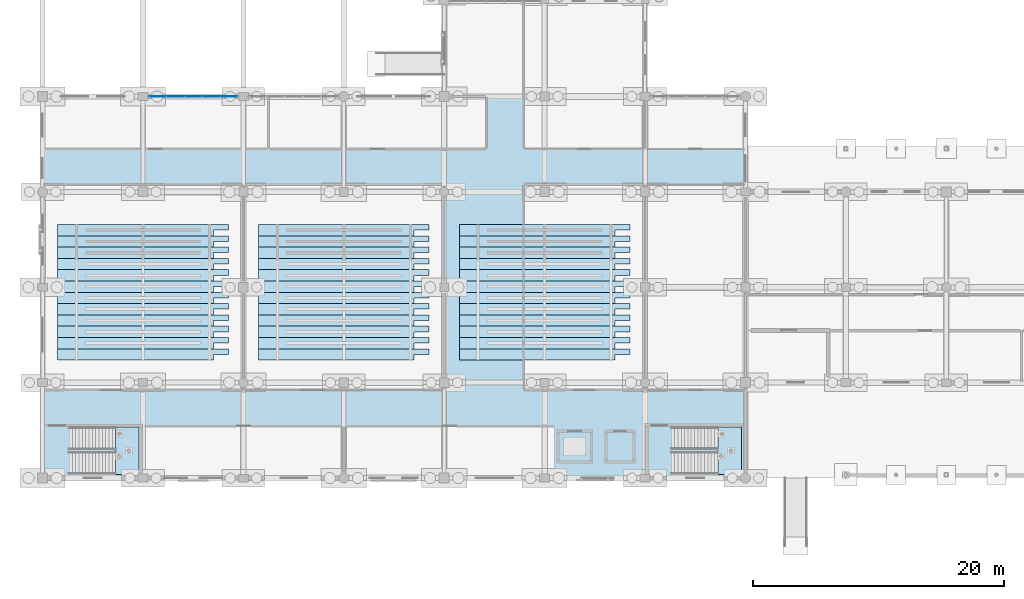
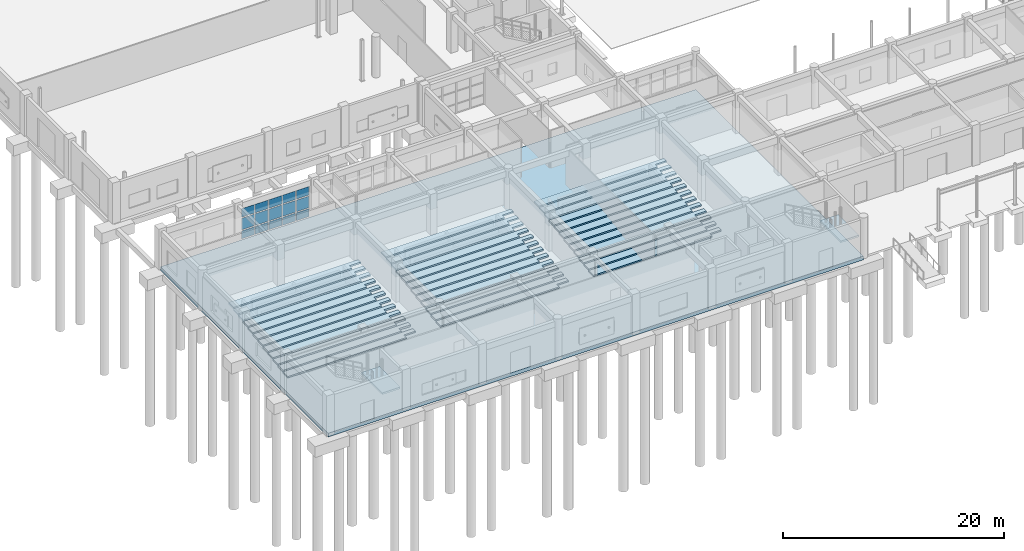
# One storey, part 108 of 166: 39 slabs, 15 plates, 3 elements without a shape of their own.
"""IFC4 building model written with IfcOpenShell, lengths in metres."""

from ifc_helpers import new_model, si_unit, direction, frame, origin, origin_2d, place, context, subcontext, project, spatial, polyline, rectangle, outline, extrude, material, layer, layer_set, type_object, element, aggregate, save


model = new_model("IFC4")

# Units and contexts
model_context = context("Model", 3, precision=1e-05, world=origin(), true_north=direction((0.0, 1.0)))
body_context = subcontext(model_context, "Body", "Model", "MODEL_VIEW")
ifc_project = project(units=[si_unit("LENGTHUNIT", "METRE"), si_unit("AREAUNIT", "SQUARE_METRE"), si_unit("VOLUMEUNIT", "CUBIC_METRE"), si_unit("PLANEANGLEUNIT", "RADIAN"), si_unit("MASSUNIT", "GRAM", prefix="KILO")], contexts=[model_context])

# Site, building, storey
site_placement = place(None, origin())
site = spatial("IfcSite", under=ifc_project, at=site_placement, CompositionType="ELEMENT")
building_placement = place(site_placement, origin())
building = spatial("IfcBuilding", under=site, at=building_placement, Name="Kharva Crest Polytechnic", CompositionType="ELEMENT")
storey_placement = place(building_placement, origin())
storey = spatial("IfcBuildingStorey", under=building, at=storey_placement, Name="L00", CompositionType="ELEMENT", Elevation=0.0)

# Curtain wall, plates
ifc_material_1 = material(Name="Tempered insulated glass", Category="glass")
curtain_wall_type = type_object("IfcCurtainWallType", Name="CW-SYS-COURT", PredefinedType="USERDEFINED", material=ifc_material_1)
curtain_wall_placement = place(storey_placement, origin())
curtain_wall = element("IfcCurtainWall", 1, at=curtain_wall_placement, inside=storey, type_object=curtain_wall_type, Name="L00 Glazed Curtain Wall CW-004", ObjectType="CURTAIN WALL", PredefinedType="USERDEFINED")
ifc_layer_1 = layer(ifc_material_1, 0.02392578125, Name="Tempered insulated glass")
ifc_layer_set_1 = layer_set([ifc_layer_1], Name="Tempered insulated glass")
plate_type = type_object("IfcPlateType", Name="CWP-GLZ-24", PredefinedType="CURTAIN_PANEL", material=ifc_layer_set_1)
plate_1_placement = place(storey_placement, frame((14.864990234375, 30.39990234375, 0.119873046875), z_axis=(0.0, 0.0, 1.0), x_axis=(-1.0, 0.0, 0.0)))
plate_1 = element("IfcPlate", 2, at=plate_1_placement, type_object=plate_type, Name="CW-004 panel 1.1", PredefinedType="CURTAIN_PANEL", context=body_context, shape_type="SweptSolid", body=[
    extrude(rectangle(XDim=1.320068359375, YDim=0.02392578125, at=origin_2d()), origin(), (0.0, 0.0, 1.0), 0.8701171875),
])
plate_2_placement = place(storey_placement, frame((14.864990234375, 30.39990234375, 1.10986328125), z_axis=(0.0, 0.0, 1.0), x_axis=(-1.0, 0.0, 0.0)))
plate_2 = element("IfcPlate", 3, at=plate_2_placement, type_object=plate_type, Name="CW-004 panel 1.2", PredefinedType="CURTAIN_PANEL", context=body_context, shape_type="SweptSolid", body=[
    extrude(rectangle(XDim=1.320068359375, YDim=0.02392578125, at=origin_2d()), origin(), (0.0, 0.0, 1.0), 1.280029296875),
])
plate_3_placement = place(storey_placement, frame((14.864990234375, 30.39990234375, 2.510009765625), z_axis=(0.0, 0.0, 1.0), x_axis=(-1.0, 0.0, 0.0)))
plate_3 = element("IfcPlate", 4, at=plate_3_placement, type_object=plate_type, Name="CW-004 panel 1.3", PredefinedType="CURTAIN_PANEL", context=body_context, shape_type="SweptSolid", body=[
    extrude(rectangle(XDim=1.320068359375, YDim=0.02392578125, at=origin_2d()), origin(), (0.0, 0.0, 1.0), 0.93994140625),
])
plate_4_placement = place(storey_placement, frame((13.445068359375, 30.39990234375, 0.119873046875), z_axis=(0.0, 0.0, 1.0), x_axis=(-1.0, 0.0, 0.0)))
plate_4 = element("IfcPlate", 5, at=plate_4_placement, type_object=plate_type, Name="CW-004 panel 2.1", PredefinedType="CURTAIN_PANEL", context=body_context, shape_type="SweptSolid", body=[
    extrude(rectangle(XDim=1.360107421875, YDim=0.02392578125, at=origin_2d()), origin(), (0.0, 0.0, 1.0), 0.8701171875),
])
plate_5_placement = place(storey_placement, frame((13.445068359375, 30.39990234375, 1.10986328125), z_axis=(0.0, 0.0, 1.0), x_axis=(-1.0, 0.0, 0.0)))
plate_5 = element("IfcPlate", 6, at=plate_5_placement, type_object=plate_type, Name="CW-004 panel 2.2", PredefinedType="CURTAIN_PANEL", context=body_context, shape_type="SweptSolid", body=[
    extrude(rectangle(XDim=1.360107421875, YDim=0.02392578125, at=origin_2d()), origin(), (0.0, 0.0, 1.0), 1.280029296875),
])
plate_6_placement = place(storey_placement, frame((13.445068359375, 30.39990234375, 2.510009765625), z_axis=(0.0, 0.0, 1.0), x_axis=(-1.0, 0.0, 0.0)))
plate_6 = element("IfcPlate", 7, at=plate_6_placement, type_object=plate_type, Name="CW-004 panel 2.3", PredefinedType="CURTAIN_PANEL", context=body_context, shape_type="SweptSolid", body=[
    extrude(rectangle(XDim=1.360107421875, YDim=0.02392578125, at=origin_2d()), origin(), (0.0, 0.0, 1.0), 0.93994140625),
])
plate_7_placement = place(storey_placement, frame((12.0048828125, 30.39990234375, 0.119873046875), z_axis=(0.0, 0.0, 1.0), x_axis=(-1.0, 0.0, 0.0)))
plate_7 = element("IfcPlate", 8, at=plate_7_placement, type_object=plate_type, Name="CW-004 panel 3.1", PredefinedType="CURTAIN_PANEL", context=body_context, shape_type="SweptSolid", body=[
    extrude(rectangle(XDim=1.360107421875, YDim=0.02392578125, at=origin_2d()), origin(), (0.0, 0.0, 1.0), 0.8701171875),
])
plate_8_placement = place(storey_placement, frame((12.0048828125, 30.39990234375, 1.10986328125), z_axis=(0.0, 0.0, 1.0), x_axis=(-1.0, 0.0, 0.0)))
plate_8 = element("IfcPlate", 9, at=plate_8_placement, type_object=plate_type, Name="CW-004 panel 3.2", PredefinedType="CURTAIN_PANEL", context=body_context, shape_type="SweptSolid", body=[
    extrude(rectangle(XDim=1.360107421875, YDim=0.02392578125, at=origin_2d()), origin(), (0.0, 0.0, 1.0), 1.280029296875),
])
plate_9_placement = place(storey_placement, frame((12.0048828125, 30.39990234375, 2.510009765625), z_axis=(0.0, 0.0, 1.0), x_axis=(-1.0, 0.0, 0.0)))
plate_9 = element("IfcPlate", 10, at=plate_9_placement, type_object=plate_type, Name="CW-004 panel 3.3", PredefinedType="CURTAIN_PANEL", context=body_context, shape_type="SweptSolid", body=[
    extrude(rectangle(XDim=1.360107421875, YDim=0.02392578125, at=origin_2d()), origin(), (0.0, 0.0, 1.0), 0.93994140625),
])
plate_10_placement = place(storey_placement, frame((10.56494140625, 30.39990234375, 0.119873046875), z_axis=(0.0, 0.0, 1.0), x_axis=(-1.0, 0.0, 0.0)))
plate_10 = element("IfcPlate", 11, at=plate_10_placement, type_object=plate_type, Name="CW-004 panel 4.1", PredefinedType="CURTAIN_PANEL", context=body_context, shape_type="SweptSolid", body=[
    extrude(rectangle(XDim=1.360107421875, YDim=0.02392578125, at=origin_2d()), origin(), (0.0, 0.0, 1.0), 0.8701171875),
])
plate_11_placement = place(storey_placement, frame((10.56494140625, 30.39990234375, 1.10986328125), z_axis=(0.0, 0.0, 1.0), x_axis=(-1.0, 0.0, 0.0)))
plate_11 = element("IfcPlate", 12, at=plate_11_placement, type_object=plate_type, Name="CW-004 panel 4.2", PredefinedType="CURTAIN_PANEL", context=body_context, shape_type="SweptSolid", body=[
    extrude(rectangle(XDim=1.360107421875, YDim=0.02392578125, at=origin_2d()), origin(), (0.0, 0.0, 1.0), 1.280029296875),
])
plate_12_placement = place(storey_placement, frame((10.56494140625, 30.39990234375, 2.510009765625), z_axis=(0.0, 0.0, 1.0), x_axis=(-1.0, 0.0, 0.0)))
plate_12 = element("IfcPlate", 13, at=plate_12_placement, type_object=plate_type, Name="CW-004 panel 4.3", PredefinedType="CURTAIN_PANEL", context=body_context, shape_type="SweptSolid", body=[
    extrude(rectangle(XDim=1.360107421875, YDim=0.02392578125, at=origin_2d()), origin(), (0.0, 0.0, 1.0), 0.93994140625),
])
plate_13_placement = place(storey_placement, frame((9.14501953125, 30.39990234375, 0.119873046875), z_axis=(0.0, 0.0, 1.0), x_axis=(-1.0, 0.0, 0.0)))
plate_13 = element("IfcPlate", 14, at=plate_13_placement, type_object=plate_type, Name="CW-004 panel 5.1", PredefinedType="CURTAIN_PANEL", context=body_context, shape_type="SweptSolid", body=[
    extrude(rectangle(XDim=1.320068359375, YDim=0.02392578125, at=origin_2d()), origin(), (0.0, 0.0, 1.0), 0.8701171875),
])
plate_14_placement = place(storey_placement, frame((9.14501953125, 30.39990234375, 1.10986328125), z_axis=(0.0, 0.0, 1.0), x_axis=(-1.0, 0.0, 0.0)))
plate_14 = element("IfcPlate", 15, at=plate_14_placement, type_object=plate_type, Name="CW-004 panel 5.2", PredefinedType="CURTAIN_PANEL", context=body_context, shape_type="SweptSolid", body=[
    extrude(rectangle(XDim=1.320068359375, YDim=0.02392578125, at=origin_2d()), origin(), (0.0, 0.0, 1.0), 1.280029296875),
])
plate_15_placement = place(storey_placement, frame((9.14501953125, 30.39990234375, 2.510009765625), z_axis=(0.0, 0.0, 1.0), x_axis=(-1.0, 0.0, 0.0)))
plate_15 = element("IfcPlate", 16, at=plate_15_placement, type_object=plate_type, Name="CW-004 panel 5.3", PredefinedType="CURTAIN_PANEL", context=body_context, shape_type="SweptSolid", body=[
    extrude(rectangle(XDim=1.320068359375, YDim=0.02392578125, at=origin_2d()), origin(), (0.0, 0.0, 1.0), 0.93994140625),
])
aggregate(curtain_wall, [plate_1, plate_2, plate_3, plate_4, plate_5, plate_6, plate_7, plate_8, plate_9, plate_10, plate_11, plate_12, plate_13, plate_14, plate_15])

# Slab
ifc_material_2 = material(Name="Concrete C35/45", Category="concrete")
ifc_layer_2 = layer(ifc_material_2, 0.405029296875, Name="Concrete C35/45")
ifc_layer_set_2 = layer_set([ifc_layer_2], Name="Concrete C35/45")
slab_type_1 = type_object("IfcSlabType", Name="SLB-BASE-400", PredefinedType="BASESLAB", material=ifc_layer_set_2)
slab_1_placement = place(storey_placement, frame((0.0, 0.0, -0.405029296875)))
element("IfcSlab", 17, at=slab_1_placement, inside=storey, type_object=slab_type_1, Name="L00 Structural Slab SW_LECT", PredefinedType="BASESLAB", context=body_context, shape_type="SweptSolid", body=[
    extrude(outline(polyline([(0.0, 0.0), (56.0, 0.0), (56.0, 30.39990234375), (0.0, 30.39990234375), (0.0, 0.0)])), origin(), (0.0, 0.0, 1.0), 0.405029296875),
])

# Stair, slab
stair_type_1 = type_object("IfcStairType", Name="STR-DOGLEG-1780", PredefinedType="TWO_STRAIGHT_RUN_STAIR", material=ifc_material_2)
stair_1_placement = place(storey_placement, origin())
stair_1 = element("IfcStair", 18, at=stair_1_placement, inside=storey, type_object=stair_type_1, Name="L00 South-West Lecture Core C1", PredefinedType="TWO_STRAIGHT_RUN_STAIR")
ifc_layer_3 = layer(ifc_material_2, 0.199951171875, Name="Concrete C35/45")
ifc_layer_set_3 = layer_set([ifc_layer_3], Name="Concrete C35/45")
slab_type_2 = type_object("IfcSlabType", Name="SLB-LAND-200", PredefinedType="LANDING", material=ifc_layer_set_3)
slab_2_placement = place(storey_placement, frame((0.0, 0.0, 2.050048828125)))
slab_2 = element("IfcSlab", 19, at=slab_2_placement, type_object=slab_type_2, Name="ST-01 landing 1", PredefinedType="LANDING", context=body_context, shape_type="SweptSolid", body=[
    extrude(outline(polyline([(53.800048828125, 0.300048828125), (55.699951171875, 0.300048828125), (55.699951171875, 4.06005859375), (53.800048828125, 4.06005859375), (53.800048828125, 0.300048828125)])), origin(), (0.0, 0.0, 1.0), 0.199951171875),
])
aggregate(stair_1, [slab_2])

stair_type_2 = type_object("IfcStairType", Name="STR-DOGLEG-1800", PredefinedType="TWO_STRAIGHT_RUN_STAIR", material=ifc_material_2)
stair_2_placement = place(storey_placement, origin())
stair_2 = element("IfcStair", 20, at=stair_2_placement, inside=storey, type_object=stair_type_2, Name="L00 West Lecture Wing Stair C10", PredefinedType="TWO_STRAIGHT_RUN_STAIR")
slab_3_placement = place(storey_placement, frame((0.0, 0.0, 2.050048828125)))
slab_3 = element("IfcSlab", 21, at=slab_3_placement, type_object=slab_type_2, Name="ST-10 landing 1", PredefinedType="LANDING", context=body_context, shape_type="SweptSolid", body=[
    extrude(outline(polyline([(5.820068359375, 0.300048828125), (7.699951171875, 0.300048828125), (7.699951171875, 4.06005859375), (5.820068359375, 4.06005859375), (5.820068359375, 0.300048828125)])), origin(), (0.0, 0.0, 1.0), 0.199951171875),
])
aggregate(stair_2, [slab_3])

# Slabs
ifc_layer_4 = layer(ifc_material_2, 0.1650390625, Name="Concrete C35/45")
ifc_layer_set_4 = layer_set([ifc_layer_4], Name="Concrete C35/45")
slab_type_3 = type_object("IfcSlabType", Name="SLB-TIER-165", PredefinedType="USERDEFINED", material=ifc_layer_set_4)
slab_4_placement = place(storey_placement, origin())
element("IfcSlab", 22, at=slab_4_placement, inside=storey, type_object=slab_type_3, Name="Stand Lecture Theatre 3 Seating Tier Row 1", ObjectType="SEATING TIER", PredefinedType="USERDEFINED", context=body_context, shape_type="SweptSolid", body=[
    extrude(outline(polyline([(33.199951171875, 9.39990234375), (45.60009765625, 9.39990234375), (45.60009765625, 9.85009765625), (46.800048828125, 9.85009765625), (46.800048828125, 10.300048828125), (33.199951171875, 10.300048828125), (33.199951171875, 9.39990234375)])), origin(), (0.0, 0.0, 1.0), 0.14990234375),
])
slab_5_placement = place(storey_placement, frame((0.0, 0.0, 0.135009765625)))
element("IfcSlab", 23, at=slab_5_placement, inside=storey, type_object=slab_type_3, Name="Stand Lecture Theatre 3 Seating Tier Row 2", ObjectType="SEATING TIER", PredefinedType="USERDEFINED", context=body_context, shape_type="SweptSolid", body=[
    extrude(outline(polyline([(33.199951171875, 10.300048828125), (45.60009765625, 10.300048828125), (45.60009765625, 10.75), (46.800048828125, 10.75), (46.800048828125, 11.199951171875), (33.199951171875, 11.199951171875), (33.199951171875, 10.300048828125)])), origin(), (0.0, 0.0, 1.0), 0.1650390625),
])
slab_6_placement = place(storey_placement, frame((0.0, 0.0, 0.284912109375)))
element("IfcSlab", 24, at=slab_6_placement, inside=storey, type_object=slab_type_3, Name="Stand Lecture Theatre 3 Seating Tier Row 3", ObjectType="SEATING TIER", PredefinedType="USERDEFINED", context=body_context, shape_type="SweptSolid", body=[
    extrude(outline(polyline([(33.199951171875, 11.199951171875), (45.60009765625, 11.199951171875), (45.60009765625, 11.64990234375), (46.800048828125, 11.64990234375), (46.800048828125, 12.10009765625), (33.199951171875, 12.10009765625), (33.199951171875, 11.199951171875)])), origin(), (0.0, 0.0, 1.0), 0.1650390625),
])
slab_7_placement = place(storey_placement, frame((0.0, 0.0, 0.43505859375)))
element("IfcSlab", 25, at=slab_7_placement, inside=storey, type_object=slab_type_3, Name="Stand Lecture Theatre 3 Seating Tier Row 4", ObjectType="SEATING TIER", PredefinedType="USERDEFINED", context=body_context, shape_type="SweptSolid", body=[
    extrude(outline(polyline([(33.199951171875, 12.10009765625), (45.60009765625, 12.10009765625), (45.60009765625, 12.550048828125), (46.800048828125, 12.550048828125), (46.800048828125, 13.0), (33.199951171875, 13.0), (33.199951171875, 12.10009765625)])), origin(), (0.0, 0.0, 1.0), 0.1650390625),
])
slab_8_placement = place(storey_placement, frame((0.0, 0.0, 0.5849609375)))
element("IfcSlab", 26, at=slab_8_placement, inside=storey, type_object=slab_type_3, Name="Stand Lecture Theatre 3 Seating Tier Row 5", ObjectType="SEATING TIER", PredefinedType="USERDEFINED", context=body_context, shape_type="SweptSolid", body=[
    extrude(outline(polyline([(33.199951171875, 13.0), (45.60009765625, 13.0), (45.60009765625, 13.449951171875), (46.800048828125, 13.449951171875), (46.800048828125, 13.89990234375), (33.199951171875, 13.89990234375), (33.199951171875, 13.0)])), origin(), (0.0, 0.0, 1.0), 0.1650390625),
])
slab_9_placement = place(storey_placement, frame((0.0, 0.0, 0.735107421875)))
element("IfcSlab", 27, at=slab_9_placement, inside=storey, type_object=slab_type_3, Name="Stand Lecture Theatre 3 Seating Tier Row 6", ObjectType="SEATING TIER", PredefinedType="USERDEFINED", context=body_context, shape_type="SweptSolid", body=[
    extrude(outline(polyline([(33.199951171875, 13.89990234375), (45.60009765625, 13.89990234375), (45.60009765625, 14.35009765625), (46.800048828125, 14.35009765625), (46.800048828125, 14.800048828125), (33.199951171875, 14.800048828125), (33.199951171875, 13.89990234375)])), origin(), (0.0, 0.0, 1.0), 0.164794921875),
])
slab_10_placement = place(storey_placement, frame((0.0, 0.0, 0.885009765625)))
element("IfcSlab", 28, at=slab_10_placement, inside=storey, type_object=slab_type_3, Name="Stand Lecture Theatre 3 Seating Tier Row 7", ObjectType="SEATING TIER", PredefinedType="USERDEFINED", context=body_context, shape_type="SweptSolid", body=[
    extrude(outline(polyline([(33.199951171875, 14.800048828125), (45.60009765625, 14.800048828125), (45.60009765625, 15.25), (46.800048828125, 15.25), (46.800048828125, 15.699951171875), (33.199951171875, 15.699951171875), (33.199951171875, 14.800048828125)])), origin(), (0.0, 0.0, 1.0), 0.1650390625),
])
slab_11_placement = place(storey_placement, frame((0.0, 0.0, 1.034912109375)))
element("IfcSlab", 29, at=slab_11_placement, inside=storey, type_object=slab_type_3, Name="Stand Lecture Theatre 3 Seating Tier Row 8", ObjectType="SEATING TIER", PredefinedType="USERDEFINED", context=body_context, shape_type="SweptSolid", body=[
    extrude(outline(polyline([(33.199951171875, 15.699951171875), (45.60009765625, 15.699951171875), (45.60009765625, 16.14990234375), (46.800048828125, 16.14990234375), (46.800048828125, 16.60009765625), (33.199951171875, 16.60009765625), (33.199951171875, 15.699951171875)])), origin(), (0.0, 0.0, 1.0), 0.1650390625),
])
slab_12_placement = place(storey_placement, frame((0.0, 0.0, 1.18505859375)))
element("IfcSlab", 30, at=slab_12_placement, inside=storey, type_object=slab_type_3, Name="Stand Lecture Theatre 3 Seating Tier Row 9", ObjectType="SEATING TIER", PredefinedType="USERDEFINED", context=body_context, shape_type="SweptSolid", body=[
    extrude(outline(polyline([(33.199951171875, 16.60009765625), (45.60009765625, 16.60009765625), (45.60009765625, 17.050048828125), (46.800048828125, 17.050048828125), (46.800048828125, 17.5), (33.199951171875, 17.5), (33.199951171875, 16.60009765625)])), origin(), (0.0, 0.0, 1.0), 0.1650390625),
])
slab_13_placement = place(storey_placement, frame((0.0, 0.0, 1.3349609375)))
element("IfcSlab", 31, at=slab_13_placement, inside=storey, type_object=slab_type_3, Name="Stand Lecture Theatre 3 Seating Tier Row 10", ObjectType="SEATING TIER", PredefinedType="USERDEFINED", context=body_context, shape_type="SweptSolid", body=[
    extrude(outline(polyline([(33.199951171875, 17.5), (45.60009765625, 17.5), (45.60009765625, 17.949951171875), (46.800048828125, 17.949951171875), (46.800048828125, 18.39990234375), (33.199951171875, 18.39990234375), (33.199951171875, 17.5)])), origin(), (0.0, 0.0, 1.0), 0.1650390625),
])
slab_14_placement = place(storey_placement, frame((0.0, 0.0, 1.485107421875)))
element("IfcSlab", 32, at=slab_14_placement, inside=storey, type_object=slab_type_3, Name="Stand Lecture Theatre 3 Seating Tier Row 11", ObjectType="SEATING TIER", PredefinedType="USERDEFINED", context=body_context, shape_type="SweptSolid", body=[
    extrude(outline(polyline([(33.199951171875, 18.39990234375), (45.60009765625, 18.39990234375), (45.60009765625, 18.85009765625), (46.800048828125, 18.85009765625), (46.800048828125, 19.300048828125), (33.199951171875, 19.300048828125), (33.199951171875, 18.39990234375)])), origin(), (0.0, 0.0, 1.0), 0.164794921875),
])
slab_15_placement = place(storey_placement, frame((0.0, 0.0, 1.635009765625)))
element("IfcSlab", 33, at=slab_15_placement, inside=storey, type_object=slab_type_3, Name="Stand Lecture Theatre 3 Seating Tier Row 12", ObjectType="SEATING TIER", PredefinedType="USERDEFINED", context=body_context, shape_type="SweptSolid", body=[
    extrude(outline(polyline([(33.199951171875, 19.300048828125), (45.60009765625, 19.300048828125), (45.60009765625, 19.75), (46.800048828125, 19.75), (46.800048828125, 20.199951171875), (33.199951171875, 20.199951171875), (33.199951171875, 19.300048828125)])), origin(), (0.0, 0.0, 1.0), 0.1650390625),
])
ifc_layer_5 = layer(ifc_material_2, 0.175048828125, Name="Concrete C35/45")
ifc_layer_set_5 = layer_set([ifc_layer_5], Name="Concrete C35/45")
slab_type_4 = type_object("IfcSlabType", Name="SLB-TIER-175", PredefinedType="USERDEFINED", material=ifc_layer_set_5)
slab_16_placement = place(storey_placement, origin())
element("IfcSlab", 34, at=slab_16_placement, inside=storey, type_object=slab_type_4, Name="Stand Lecture Theatre 2 Seating Tier Row 1", ObjectType="SEATING TIER", PredefinedType="USERDEFINED", context=body_context, shape_type="SweptSolid", body=[
    extrude(outline(polyline([(17.199951171875, 9.39990234375), (29.60009765625, 9.39990234375), (29.60009765625, 9.85009765625), (30.800048828125, 9.85009765625), (30.800048828125, 10.300048828125), (17.199951171875, 10.300048828125), (17.199951171875, 9.39990234375)])), origin(), (0.0, 0.0, 1.0), 0.14990234375),
])
slab_17_placement = place(storey_placement, frame((0.0, 0.0, 0.125)))
element("IfcSlab", 35, at=slab_17_placement, inside=storey, type_object=slab_type_4, Name="Stand Lecture Theatre 2 Seating Tier Row 2", ObjectType="SEATING TIER", PredefinedType="USERDEFINED", context=body_context, shape_type="SweptSolid", body=[
    extrude(outline(polyline([(17.199951171875, 10.300048828125), (29.60009765625, 10.300048828125), (29.60009765625, 10.75), (30.800048828125, 10.75), (30.800048828125, 11.199951171875), (17.199951171875, 11.199951171875), (17.199951171875, 10.300048828125)])), origin(), (0.0, 0.0, 1.0), 0.175048828125),
])
slab_18_placement = place(storey_placement, frame((0.0, 0.0, 0.27490234375)))
element("IfcSlab", 36, at=slab_18_placement, inside=storey, type_object=slab_type_4, Name="Stand Lecture Theatre 2 Seating Tier Row 3", ObjectType="SEATING TIER", PredefinedType="USERDEFINED", context=body_context, shape_type="SweptSolid", body=[
    extrude(outline(polyline([(17.199951171875, 11.199951171875), (29.60009765625, 11.199951171875), (29.60009765625, 11.64990234375), (30.800048828125, 11.64990234375), (30.800048828125, 12.10009765625), (17.199951171875, 12.10009765625), (17.199951171875, 11.199951171875)])), origin(), (0.0, 0.0, 1.0), 0.175048828125),
])
slab_19_placement = place(storey_placement, frame((0.0, 0.0, 0.425048828125)))
element("IfcSlab", 37, at=slab_19_placement, inside=storey, type_object=slab_type_4, Name="Stand Lecture Theatre 2 Seating Tier Row 4", ObjectType="SEATING TIER", PredefinedType="USERDEFINED", context=body_context, shape_type="SweptSolid", body=[
    extrude(outline(polyline([(17.199951171875, 12.10009765625), (29.60009765625, 12.10009765625), (29.60009765625, 12.550048828125), (30.800048828125, 12.550048828125), (30.800048828125, 13.0), (17.199951171875, 13.0), (17.199951171875, 12.10009765625)])), origin(), (0.0, 0.0, 1.0), 0.175048828125),
])
slab_20_placement = place(storey_placement, frame((0.0, 0.0, 0.574951171875)))
element("IfcSlab", 38, at=slab_20_placement, inside=storey, type_object=slab_type_4, Name="Stand Lecture Theatre 2 Seating Tier Row 5", ObjectType="SEATING TIER", PredefinedType="USERDEFINED", context=body_context, shape_type="SweptSolid", body=[
    extrude(outline(polyline([(17.199951171875, 13.0), (29.60009765625, 13.0), (29.60009765625, 13.449951171875), (30.800048828125, 13.449951171875), (30.800048828125, 13.89990234375), (17.199951171875, 13.89990234375), (17.199951171875, 13.0)])), origin(), (0.0, 0.0, 1.0), 0.175048828125),
])
slab_21_placement = place(storey_placement, frame((0.0, 0.0, 0.72509765625)))
element("IfcSlab", 39, at=slab_21_placement, inside=storey, type_object=slab_type_4, Name="Stand Lecture Theatre 2 Seating Tier Row 6", ObjectType="SEATING TIER", PredefinedType="USERDEFINED", context=body_context, shape_type="SweptSolid", body=[
    extrude(outline(polyline([(17.199951171875, 13.89990234375), (29.60009765625, 13.89990234375), (29.60009765625, 14.35009765625), (30.800048828125, 14.35009765625), (30.800048828125, 14.800048828125), (17.199951171875, 14.800048828125), (17.199951171875, 13.89990234375)])), origin(), (0.0, 0.0, 1.0), 0.1748046875),
])
slab_22_placement = place(storey_placement, frame((0.0, 0.0, 0.875)))
element("IfcSlab", 40, at=slab_22_placement, inside=storey, type_object=slab_type_4, Name="Stand Lecture Theatre 2 Seating Tier Row 7", ObjectType="SEATING TIER", PredefinedType="USERDEFINED", context=body_context, shape_type="SweptSolid", body=[
    extrude(outline(polyline([(17.199951171875, 14.800048828125), (29.60009765625, 14.800048828125), (29.60009765625, 15.25), (30.800048828125, 15.25), (30.800048828125, 15.699951171875), (17.199951171875, 15.699951171875), (17.199951171875, 14.800048828125)])), origin(), (0.0, 0.0, 1.0), 0.175048828125),
])
slab_23_placement = place(storey_placement, frame((0.0, 0.0, 1.02490234375)))
element("IfcSlab", 41, at=slab_23_placement, inside=storey, type_object=slab_type_4, Name="Stand Lecture Theatre 2 Seating Tier Row 8", ObjectType="SEATING TIER", PredefinedType="USERDEFINED", context=body_context, shape_type="SweptSolid", body=[
    extrude(outline(polyline([(17.199951171875, 15.699951171875), (29.60009765625, 15.699951171875), (29.60009765625, 16.14990234375), (30.800048828125, 16.14990234375), (30.800048828125, 16.60009765625), (17.199951171875, 16.60009765625), (17.199951171875, 15.699951171875)])), origin(), (0.0, 0.0, 1.0), 0.175048828125),
])
slab_24_placement = place(storey_placement, frame((0.0, 0.0, 1.175048828125)))
element("IfcSlab", 42, at=slab_24_placement, inside=storey, type_object=slab_type_4, Name="Stand Lecture Theatre 2 Seating Tier Row 9", ObjectType="SEATING TIER", PredefinedType="USERDEFINED", context=body_context, shape_type="SweptSolid", body=[
    extrude(outline(polyline([(17.199951171875, 16.60009765625), (29.60009765625, 16.60009765625), (29.60009765625, 17.050048828125), (30.800048828125, 17.050048828125), (30.800048828125, 17.5), (17.199951171875, 17.5), (17.199951171875, 16.60009765625)])), origin(), (0.0, 0.0, 1.0), 0.175048828125),
])
slab_25_placement = place(storey_placement, frame((0.0, 0.0, 1.324951171875)))
element("IfcSlab", 43, at=slab_25_placement, inside=storey, type_object=slab_type_4, Name="Stand Lecture Theatre 2 Seating Tier Row 10", ObjectType="SEATING TIER", PredefinedType="USERDEFINED", context=body_context, shape_type="SweptSolid", body=[
    extrude(outline(polyline([(17.199951171875, 17.5), (29.60009765625, 17.5), (29.60009765625, 17.949951171875), (30.800048828125, 17.949951171875), (30.800048828125, 18.39990234375), (17.199951171875, 18.39990234375), (17.199951171875, 17.5)])), origin(), (0.0, 0.0, 1.0), 0.175048828125),
])
slab_26_placement = place(storey_placement, frame((0.0, 0.0, 1.47509765625)))
element("IfcSlab", 44, at=slab_26_placement, inside=storey, type_object=slab_type_4, Name="Stand Lecture Theatre 2 Seating Tier Row 11", ObjectType="SEATING TIER", PredefinedType="USERDEFINED", context=body_context, shape_type="SweptSolid", body=[
    extrude(outline(polyline([(17.199951171875, 18.39990234375), (29.60009765625, 18.39990234375), (29.60009765625, 18.85009765625), (30.800048828125, 18.85009765625), (30.800048828125, 19.300048828125), (17.199951171875, 19.300048828125), (17.199951171875, 18.39990234375)])), origin(), (0.0, 0.0, 1.0), 0.1748046875),
])
slab_27_placement = place(storey_placement, frame((0.0, 0.0, 1.625)))
element("IfcSlab", 45, at=slab_27_placement, inside=storey, type_object=slab_type_4, Name="Stand Lecture Theatre 2 Seating Tier Row 12", ObjectType="SEATING TIER", PredefinedType="USERDEFINED", context=body_context, shape_type="SweptSolid", body=[
    extrude(outline(polyline([(17.199951171875, 19.300048828125), (29.60009765625, 19.300048828125), (29.60009765625, 19.75), (30.800048828125, 19.75), (30.800048828125, 20.199951171875), (17.199951171875, 20.199951171875), (17.199951171875, 19.300048828125)])), origin(), (0.0, 0.0, 1.0), 0.175048828125),
])
ifc_layer_6 = layer(ifc_material_2, 0.18505859375, Name="Concrete C35/45")
ifc_layer_set_6 = layer_set([ifc_layer_6], Name="Concrete C35/45")
slab_type_5 = type_object("IfcSlabType", Name="SLB-TIER-185", PredefinedType="USERDEFINED", material=ifc_layer_set_6)
slab_28_placement = place(storey_placement, origin())
element("IfcSlab", 46, at=slab_28_placement, inside=storey, type_object=slab_type_5, Name="Stand Lecture Theatre 1 Seating Tier Row 1", ObjectType="SEATING TIER", PredefinedType="USERDEFINED", context=body_context, shape_type="SweptSolid", body=[
    extrude(outline(polyline([(1.199951171875, 9.39990234375), (13.60009765625, 9.39990234375), (13.60009765625, 9.85009765625), (14.800048828125, 9.85009765625), (14.800048828125, 10.300048828125), (1.199951171875, 10.300048828125), (1.199951171875, 9.39990234375)])), origin(), (0.0, 0.0, 1.0), 0.14990234375),
])
slab_29_placement = place(storey_placement, frame((0.0, 0.0, 0.114990234375)))
element("IfcSlab", 47, at=slab_29_placement, inside=storey, type_object=slab_type_5, Name="Stand Lecture Theatre 1 Seating Tier Row 2", ObjectType="SEATING TIER", PredefinedType="USERDEFINED", context=body_context, shape_type="SweptSolid", body=[
    extrude(outline(polyline([(1.199951171875, 10.300048828125), (13.60009765625, 10.300048828125), (13.60009765625, 10.75), (14.800048828125, 10.75), (14.800048828125, 11.199951171875), (1.199951171875, 11.199951171875), (1.199951171875, 10.300048828125)])), origin(), (0.0, 0.0, 1.0), 0.18505859375),
])
slab_30_placement = place(storey_placement, frame((0.0, 0.0, 0.264892578125)))
element("IfcSlab", 48, at=slab_30_placement, inside=storey, type_object=slab_type_5, Name="Stand Lecture Theatre 1 Seating Tier Row 3", ObjectType="SEATING TIER", PredefinedType="USERDEFINED", context=body_context, shape_type="SweptSolid", body=[
    extrude(outline(polyline([(1.199951171875, 11.199951171875), (13.60009765625, 11.199951171875), (13.60009765625, 11.64990234375), (14.800048828125, 11.64990234375), (14.800048828125, 12.10009765625), (1.199951171875, 12.10009765625), (1.199951171875, 11.199951171875)])), origin(), (0.0, 0.0, 1.0), 0.18505859375),
])
slab_31_placement = place(storey_placement, frame((0.0, 0.0, 0.4150390625)))
element("IfcSlab", 49, at=slab_31_placement, inside=storey, type_object=slab_type_5, Name="Stand Lecture Theatre 1 Seating Tier Row 4", ObjectType="SEATING TIER", PredefinedType="USERDEFINED", context=body_context, shape_type="SweptSolid", body=[
    extrude(outline(polyline([(1.199951171875, 12.10009765625), (13.60009765625, 12.10009765625), (13.60009765625, 12.550048828125), (14.800048828125, 12.550048828125), (14.800048828125, 13.0), (1.199951171875, 13.0), (1.199951171875, 12.10009765625)])), origin(), (0.0, 0.0, 1.0), 0.18505859375),
])
slab_32_placement = place(storey_placement, frame((0.0, 0.0, 0.56494140625)))
element("IfcSlab", 50, at=slab_32_placement, inside=storey, type_object=slab_type_5, Name="Stand Lecture Theatre 1 Seating Tier Row 5", ObjectType="SEATING TIER", PredefinedType="USERDEFINED", context=body_context, shape_type="SweptSolid", body=[
    extrude(outline(polyline([(1.199951171875, 13.0), (13.60009765625, 13.0), (13.60009765625, 13.449951171875), (14.800048828125, 13.449951171875), (14.800048828125, 13.89990234375), (1.199951171875, 13.89990234375), (1.199951171875, 13.0)])), origin(), (0.0, 0.0, 1.0), 0.18505859375),
])
slab_33_placement = place(storey_placement, frame((0.0, 0.0, 0.715087890625)))
element("IfcSlab", 51, at=slab_33_placement, inside=storey, type_object=slab_type_5, Name="Stand Lecture Theatre 1 Seating Tier Row 6", ObjectType="SEATING TIER", PredefinedType="USERDEFINED", context=body_context, shape_type="SweptSolid", body=[
    extrude(outline(polyline([(1.199951171875, 13.89990234375), (13.60009765625, 13.89990234375), (13.60009765625, 14.35009765625), (14.800048828125, 14.35009765625), (14.800048828125, 14.800048828125), (1.199951171875, 14.800048828125), (1.199951171875, 13.89990234375)])), origin(), (0.0, 0.0, 1.0), 0.184814453125),
])
slab_34_placement = place(storey_placement, frame((0.0, 0.0, 0.864990234375)))
element("IfcSlab", 52, at=slab_34_placement, inside=storey, type_object=slab_type_5, Name="Stand Lecture Theatre 1 Seating Tier Row 7", ObjectType="SEATING TIER", PredefinedType="USERDEFINED", context=body_context, shape_type="SweptSolid", body=[
    extrude(outline(polyline([(1.199951171875, 14.800048828125), (13.60009765625, 14.800048828125), (13.60009765625, 15.25), (14.800048828125, 15.25), (14.800048828125, 15.699951171875), (1.199951171875, 15.699951171875), (1.199951171875, 14.800048828125)])), origin(), (0.0, 0.0, 1.0), 0.18505859375),
])
slab_35_placement = place(storey_placement, frame((0.0, 0.0, 1.014892578125)))
element("IfcSlab", 53, at=slab_35_placement, inside=storey, type_object=slab_type_5, Name="Stand Lecture Theatre 1 Seating Tier Row 8", ObjectType="SEATING TIER", PredefinedType="USERDEFINED", context=body_context, shape_type="SweptSolid", body=[
    extrude(outline(polyline([(1.199951171875, 15.699951171875), (13.60009765625, 15.699951171875), (13.60009765625, 16.14990234375), (14.800048828125, 16.14990234375), (14.800048828125, 16.60009765625), (1.199951171875, 16.60009765625), (1.199951171875, 15.699951171875)])), origin(), (0.0, 0.0, 1.0), 0.18505859375),
])
slab_36_placement = place(storey_placement, frame((0.0, 0.0, 1.1650390625)))
element("IfcSlab", 54, at=slab_36_placement, inside=storey, type_object=slab_type_5, Name="Stand Lecture Theatre 1 Seating Tier Row 9", ObjectType="SEATING TIER", PredefinedType="USERDEFINED", context=body_context, shape_type="SweptSolid", body=[
    extrude(outline(polyline([(1.199951171875, 16.60009765625), (13.60009765625, 16.60009765625), (13.60009765625, 17.050048828125), (14.800048828125, 17.050048828125), (14.800048828125, 17.5), (1.199951171875, 17.5), (1.199951171875, 16.60009765625)])), origin(), (0.0, 0.0, 1.0), 0.18505859375),
])
slab_37_placement = place(storey_placement, frame((0.0, 0.0, 1.31494140625)))
element("IfcSlab", 55, at=slab_37_placement, inside=storey, type_object=slab_type_5, Name="Stand Lecture Theatre 1 Seating Tier Row 10", ObjectType="SEATING TIER", PredefinedType="USERDEFINED", context=body_context, shape_type="SweptSolid", body=[
    extrude(outline(polyline([(1.199951171875, 17.5), (13.60009765625, 17.5), (13.60009765625, 17.949951171875), (14.800048828125, 17.949951171875), (14.800048828125, 18.39990234375), (1.199951171875, 18.39990234375), (1.199951171875, 17.5)])), origin(), (0.0, 0.0, 1.0), 0.18505859375),
])
slab_38_placement = place(storey_placement, frame((0.0, 0.0, 1.465087890625)))
element("IfcSlab", 56, at=slab_38_placement, inside=storey, type_object=slab_type_5, Name="Stand Lecture Theatre 1 Seating Tier Row 11", ObjectType="SEATING TIER", PredefinedType="USERDEFINED", context=body_context, shape_type="SweptSolid", body=[
    extrude(outline(polyline([(1.199951171875, 18.39990234375), (13.60009765625, 18.39990234375), (13.60009765625, 18.85009765625), (14.800048828125, 18.85009765625), (14.800048828125, 19.300048828125), (1.199951171875, 19.300048828125), (1.199951171875, 18.39990234375)])), origin(), (0.0, 0.0, 1.0), 0.184814453125),
])
slab_39_placement = place(storey_placement, frame((0.0, 0.0, 1.614990234375)))
element("IfcSlab", 57, at=slab_39_placement, inside=storey, type_object=slab_type_5, Name="Stand Lecture Theatre 1 Seating Tier Row 12", ObjectType="SEATING TIER", PredefinedType="USERDEFINED", context=body_context, shape_type="SweptSolid", body=[
    extrude(outline(polyline([(1.199951171875, 19.300048828125), (13.60009765625, 19.300048828125), (13.60009765625, 19.75), (14.800048828125, 19.75), (14.800048828125, 20.199951171875), (1.199951171875, 20.199951171875), (1.199951171875, 19.300048828125)])), origin(), (0.0, 0.0, 1.0), 0.18505859375),
])

save(model, "model.ifc")
